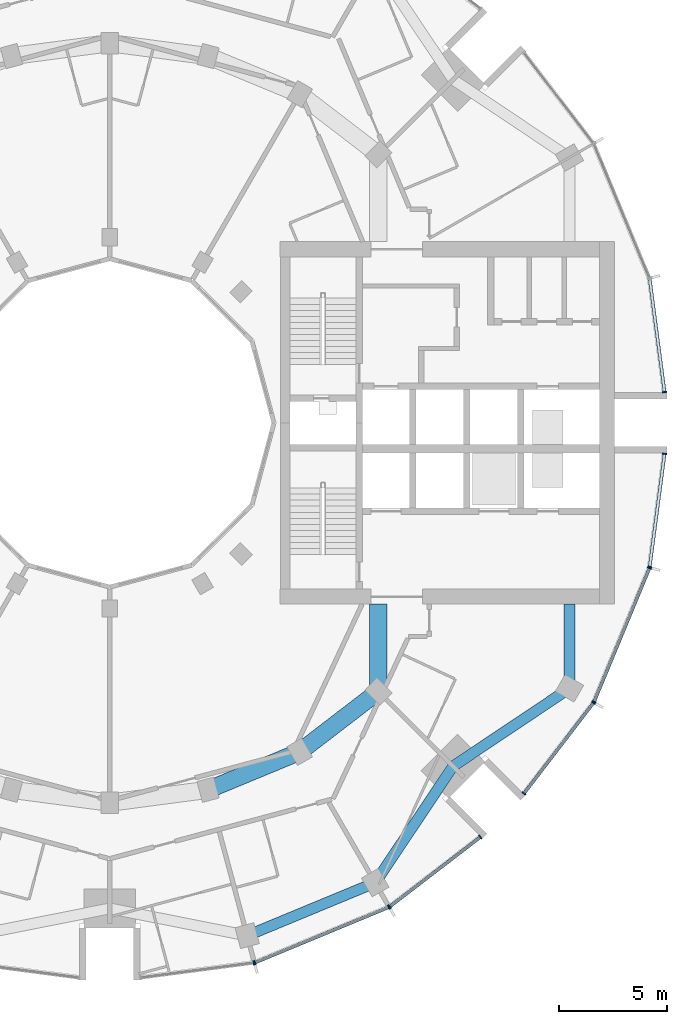
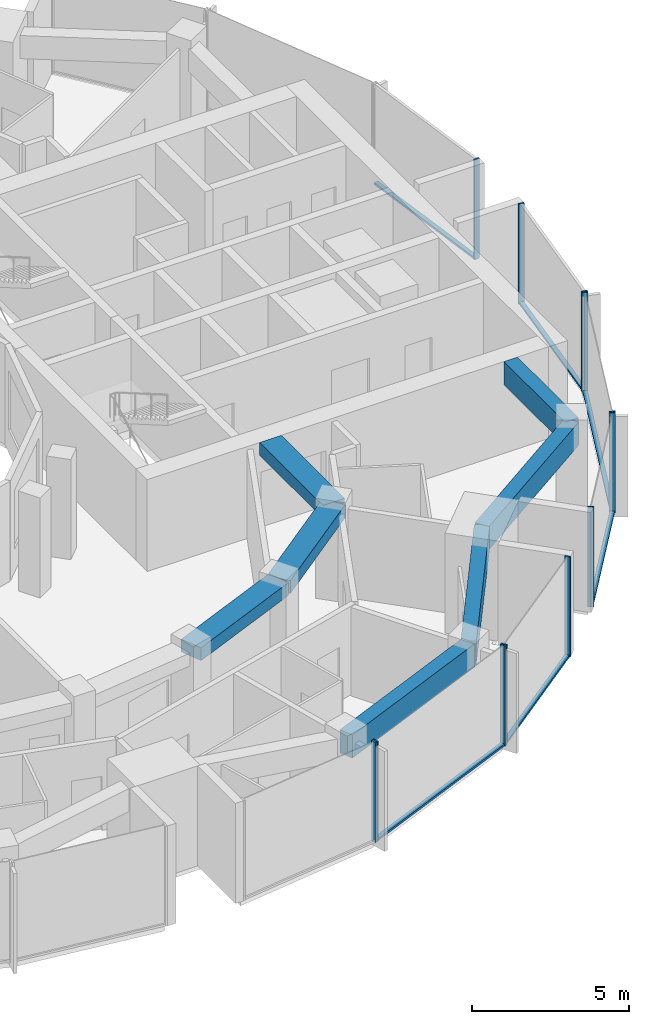
# One storey, part 4 of 15: 18 members, 7 beams, 7 elements without a shape of their own.
"""IFC4 building model written with IfcOpenShell, lengths in metres."""

import ifcopenshell
import ifcopenshell.guid

model = None  # the IFC model being written
_history = None  # IfcOwnerHistory: only IFC2X3 demands one
_inside = {}  # id of a spatial element -> (the spatial element, [elements in it])
_under = {}  # id of a project, library or spatial element -> (it, [spatial elements below it])
_declared = {}  # id of a project -> (the project, [libraries it declares])
_typed = {}  # id of a type object -> (the type object, [elements of that type])
_made_of = {}  # id of a material, layer set ... -> (it, [elements and type objects made of it])


def new_model(schema):
    """Start an empty IFC model of exactly this schema.

    Asked for "IFC4X3", IfcOpenShell would pick the latest addendum, in which some entities
    have other attributes; the version numbers below select the first issue.
    IFC2X3 requires an IfcOwnerHistory on every rooted entity: one is made here for all.
    """
    global model, _history
    if schema == "IFC4X3":
        model = ifcopenshell.file(schema_version=(4, 3, 0, 0))
    else:
        model = ifcopenshell.file(schema=schema)
    _inside.clear()
    _under.clear()
    _declared.clear()
    _typed.clear()
    _made_of.clear()
    _history = None
    if model.schema == "IFC2X3":
        org = make("IfcOrganization", Name="unknown")
        user = make(
            "IfcPersonAndOrganization",
            ThePerson=make("IfcPerson", FamilyName="unknown"),
            TheOrganization=org,
        )
        app = make(
            "IfcApplication",
            ApplicationDeveloper=org,
            Version="unknown",
            ApplicationFullName="unknown",
            ApplicationIdentifier="unknown",
        )
        _history = make(
            "IfcOwnerHistory",
            OwningUser=user,
            OwningApplication=app,
            ChangeAction="ADDED",
            CreationDate=0,
        )
    return model


def make(cls, **values):
    """One entity of the class cls with the attributes given. An attribute that is None is left unset."""
    return model.create_entity(
        cls, **{name: value for name, value in values.items() if value is not None}
    )


def rooted(cls, **values):
    """An entity with a GlobalId (a new one), such as an element, a storey or a relation."""
    return make(cls, GlobalId=ifcopenshell.guid.new(), OwnerHistory=_history, **values)


def si_unit(unit_type, name, prefix=None):
    """IfcSIUnit, for example si_unit("LENGTHUNIT", "METRE", prefix="MILLI")."""
    return make("IfcSIUnit", UnitType=unit_type, Prefix=prefix, Name=name)


def assignment(units):
    """IfcUnitAssignment: the units of a project."""
    return None if units is None else make("IfcUnitAssignment", Units=units)


def point(xyz):
    """IfcCartesianPoint."""
    return None if xyz is None else make("IfcCartesianPoint", Coordinates=xyz)


def direction(xyz):
    """IfcDirection."""
    return None if xyz is None else make("IfcDirection", DirectionRatios=xyz)


def frame(location, z_axis=None, x_axis=None):
    """IfcAxis2Placement3D, a coordinate frame: its origin and axes. An axis left out is left unset."""
    return make(
        "IfcAxis2Placement3D",
        Location=point(location),
        Axis=direction(z_axis),
        RefDirection=direction(x_axis),
    )


def frame_2d(location, x_axis=None):
    """IfcAxis2Placement2D, a coordinate frame in the plane: its origin and x axis."""
    return make(
        "IfcAxis2Placement2D", Location=point(location), RefDirection=direction(x_axis)
    )


def origin():
    """The frame at (0, 0, 0) with its axes left unset."""
    return frame((0.0, 0.0, 0.0))


def origin_2d():
    """The frame at (0, 0) in the plane with its x axis left unset."""
    return frame_2d((0.0, 0.0))


def place(relative_to, where):
    """IfcLocalPlacement: puts the frame where relative to a parent placement (None: the world)."""
    return make(
        "IfcLocalPlacement", PlacementRelTo=relative_to, RelativePlacement=where
    )


def context(
    kind, dimensions, precision=None, world=None, true_north=None, identifier=None
):
    """IfcGeometricRepresentationContext, for example the 3D "Model" context."""
    return make(
        "IfcGeometricRepresentationContext",
        ContextIdentifier=identifier,
        ContextType=kind,
        CoordinateSpaceDimension=dimensions,
        Precision=precision,
        WorldCoordinateSystem=world,
        TrueNorth=true_north,
    )


def subcontext(parent, identifier, kind, view, scale=None):
    """IfcGeometricRepresentationSubContext, for example "Body" below "Model"."""
    return make(
        "IfcGeometricRepresentationSubContext",
        ContextIdentifier=identifier,
        ContextType=kind,
        ParentContext=parent,
        TargetScale=scale,
        TargetView=view,
    )


def project(units=None, contexts=None):
    """IfcProject with its units and contexts."""
    return rooted(
        "IfcProject",
        Name="project",
        RepresentationContexts=contexts,
        UnitsInContext=assignment(units),
    )


def spatial(cls, under=None, at=None, **own):
    """A site, building, storey or space (cls), placed at a placement, below another one or the project."""
    s = rooted(cls, ObjectPlacement=at, **own)
    if under is not None:
        _under.setdefault(under.id(), (under, []))[1].append(s)
    return s


def profile(cls, at=None, kind="AREA", **sizes):
    """A parametric profile (cls). Its sizes go by their IFC names, for example OverallWidth=200.0."""
    return make(cls, ProfileType=kind, Position=at, **sizes)


def rectangle(**sizes):
    """IfcRectangleProfileDef."""
    return profile("IfcRectangleProfileDef", **sizes)


def extrude(swept, where, along, depth):
    """IfcExtrudedAreaSolid: the profile swept, set in the frame where, extruded along a direction by depth."""
    return make(
        "IfcExtrudedAreaSolid",
        SweptArea=swept,
        Position=where,
        ExtrudedDirection=direction(along),
        Depth=depth,
    )


def shape(context_of_items, identifier, shape_type, items):
    """IfcShapeRepresentation: the items that make up one representation, for example the "Body"."""
    return make(
        "IfcShapeRepresentation",
        ContextOfItems=context_of_items,
        RepresentationIdentifier=identifier,
        RepresentationType=shape_type,
        Items=items,
    )


def material(Name=None, Category=None):
    """IfcMaterial."""
    return make("IfcMaterial", Name=Name, Category=Category)


def layer(
    of_material, thickness, ventilated=None, Name=None, Category=None, Priority=None
):
    """IfcMaterialLayer: one layer of a wall or slab, of a material (None: an air gap)."""
    return make(
        "IfcMaterialLayer",
        Material=of_material,
        LayerThickness=thickness,
        IsVentilated=ventilated,
        Name=Name,
        Category=Category,
        Priority=Priority,
    )


def layer_set(layers, Name=None):
    """IfcMaterialLayerSet."""
    return make("IfcMaterialLayerSet", MaterialLayers=layers, LayerSetName=Name)


def material_profile(
    of_material, cross_section, Name=None, Category=None, Priority=None
):
    """IfcMaterialProfile: a cross section and its material."""
    return make(
        "IfcMaterialProfile",
        Name=Name,
        Material=of_material,
        Profile=cross_section,
        Priority=Priority,
        Category=Category,
    )


def profile_set(profiles, Name=None, composite=None):
    """IfcMaterialProfileSet."""
    return make(
        "IfcMaterialProfileSet",
        Name=Name,
        MaterialProfiles=profiles,
        CompositeProfile=composite,
    )


def made_of(thing, what):
    """Note that an element or type object is made of a material, layer set ...; save() writes the relation."""
    if what is not None:
        _made_of.setdefault(what.id(), (what, []))[1].append(thing)
    return thing


def type_object(cls, material=None, **own):
    """A type object (cls), such as IfcWallType, which elements share."""
    return made_of(rooted(cls, **own), material)


def element(
    cls,
    number,
    at=None,
    inside=None,
    cuts=None,
    type_object=None,
    material=None,
    context=None,
    identifier="Body",
    shape_type=None,
    held_by="IfcProductDefinitionShape",
    body=None,
    shapes=None,
    **own,
):
    """One element of the class cls, such as IfcWall. Its Tag is "e" and its number.

    at: its placement. inside: the storey or other place that contains it. cuts: it is an
    opening in that element (IfcRelVoidsElement). A single representation is given by context,
    identifier, shape_type and body (its items); several are given by shapes. held_by: the class
    of the entity that holds the representations. save() writes the other relations.
    """
    e = rooted(cls, Tag="e%d" % number, ObjectPlacement=at, **own)
    if body is not None:
        shapes = [shape(context, identifier, shape_type, body)]
    if shapes is not None:
        e.Representation = make(held_by, Representations=shapes)
    if inside is not None:
        _inside.setdefault(inside.id(), (inside, []))[1].append(e)
    if cuts is not None:
        rooted(
            "IfcRelVoidsElement", RelatingBuildingElement=cuts, RelatedOpeningElement=e
        )
    if type_object is not None:
        _typed.setdefault(type_object.id(), (type_object, []))[1].append(e)
    return made_of(e, material)


def aggregate(whole, parts):
    """IfcRelAggregates: a whole, such as a stair, and the parts it consists of."""
    return rooted("IfcRelAggregates", RelatingObject=whole, RelatedObjects=parts)


def save(model, path):
    """Write the relations noted so far, then the file.

    IfcRelAggregates (storeys below a building ...), IfcRelContainedInSpatialStructure (elements
    in a storey), IfcRelDefinesByType, IfcRelAssociatesMaterial and IfcRelDeclares: one each for
    every whole, place, type object, material and project.
    """
    for whole, parts in _under.values():
        aggregate(whole, parts)
    for where, things in _inside.values():
        rooted(
            "IfcRelContainedInSpatialStructure",
            RelatedElements=things,
            RelatingStructure=where,
        )
    for kind, things in _typed.values():
        rooted("IfcRelDefinesByType", RelatedObjects=things, RelatingType=kind)
    for what, things in _made_of.values():
        rooted("IfcRelAssociatesMaterial", RelatedObjects=things, RelatingMaterial=what)
    for by, libraries in _declared.values():
        rooted("IfcRelDeclares", RelatingContext=by, RelatedDefinitions=libraries)
    model.write(path)


model = new_model("IFC4")

# Units and contexts
model_context = context("Model", 3, precision=1e-05, world=origin(), true_north=direction((0.0, 1.0)))
body_context = subcontext(model_context, "Body", "Model", "MODEL_VIEW")
ifc_project = project(units=[si_unit("LENGTHUNIT", "METRE"), si_unit("AREAUNIT", "SQUARE_METRE"), si_unit("VOLUMEUNIT", "CUBIC_METRE"), si_unit("PLANEANGLEUNIT", "RADIAN"), si_unit("MASSUNIT", "GRAM", prefix="KILO")], contexts=[model_context])

# Site, building, storey
site_placement = place(None, origin())
site = spatial("IfcSite", under=ifc_project, at=site_placement, CompositionType="ELEMENT")
building_placement = place(site_placement, origin())
building = spatial("IfcBuilding", under=site, at=building_placement, Name="Torre Brocal", CompositionType="ELEMENT")
storey_placement = place(building_placement, frame((0.0, 0.0, 130.199951171875)))
storey = spatial("IfcBuildingStorey", under=building, at=storey_placement, Name="L30", CompositionType="ELEMENT", Elevation=130.199951171875)

# Curtain wall, member
ifc_material_1 = material(Name="Aluminium and glass", Category="aluminium")
ifc_layer_1 = layer(ifc_material_1, 0.199951171875)
ifc_layer_set_1 = layer_set([ifc_layer_1], Name="Aluminium and glass")
curtain_wall_type_1 = type_object("IfcCurtainWallType", Name="CW-1 CURTAIN WALL 3900 HIGH", PredefinedType="NOTDEFINED", material=ifc_layer_set_1)
curtain_wall_1_placement = place(storey_placement, origin())
curtain_wall_1 = element("IfcCurtainWall", 1, at=curtain_wall_1_placement, inside=storey, type_object=curtain_wall_type_1, Name="CW-1 RUN 19", PredefinedType="NOTDEFINED")
ifc_material_2 = material(Name="Aluminium, dark anodised", Category="aluminium")
ifc_material_profile_1 = material_profile(ifc_material_2, rectangle(XDim=0.199951171875, YDim=0.06005859375, at=origin_2d()), Name="CW-1 MULLION 60X200")
ifc_profile_set_1 = profile_set([ifc_material_profile_1], Name="Aluminium, dark anodised")
member_type_1 = type_object("IfcMemberType", Name="CW-1 MULLION 60X200", PredefinedType="MULLION", material=ifc_profile_set_1)
member_1_placement = place(storey_placement, frame((86.67333984375, 49.9794921875, 0.0), z_axis=(0.0, 0.0, 1.0), x_axis=(-0.13052619222, 0.991444861374, 0.0)))
member_1 = element("IfcMember", 2, at=member_1_placement, type_object=member_type_1, Name="CW1-3 mullion 2", PredefinedType="MULLION", context=body_context, shape_type="SweptSolid", body=[
    extrude(rectangle(XDim=0.199951171875, YDim=0.06005859375, at=origin_2d()), origin(), (0.0, 0.0, 1.0), 3.900146484375),
])
aggregate(curtain_wall_1, [member_1])

# Curtain wall, members
curtain_wall_2_placement = place(storey_placement, origin())
curtain_wall_2 = element("IfcCurtainWall", 3, at=curtain_wall_2_placement, inside=storey, type_object=curtain_wall_type_1, Name="CW-1 RUN 20", PredefinedType="NOTDEFINED")
member_2_placement = place(storey_placement, frame((86.73095703125, 49.994873046875, 0.0), z_axis=(0.0, 0.0, 1.0), x_axis=(-0.382683432333, 0.923879532525, 0.0)))
member_2 = element("IfcMember", 4, at=member_2_placement, type_object=member_type_1, Name="CW1-3 mullion 1", PredefinedType="MULLION", context=body_context, shape_type="SweptSolid", body=[
    extrude(rectangle(XDim=0.199951171875, YDim=0.06005859375, at=origin_2d()), origin(), (0.0, 0.0, 1.0), 3.900146484375),
])
member_3_placement = place(storey_placement, frame((92.921875, 52.559326171875, 0.0), z_axis=(0.0, 0.0, 1.0), x_axis=(-0.382683432333, 0.923879532525, 0.0)))
member_3 = element("IfcMember", 5, at=member_3_placement, type_object=member_type_1, Name="CW1-3 mullion 2", PredefinedType="MULLION", context=body_context, shape_type="SweptSolid", body=[
    extrude(rectangle(XDim=0.199951171875, YDim=0.06005859375, at=origin_2d()), origin(), (0.0, 0.0, 1.0), 3.900146484375),
])

curtain_wall_3_placement = place(storey_placement, origin())
curtain_wall_3 = element("IfcCurtainWall", 6, at=curtain_wall_3_placement, inside=storey, type_object=curtain_wall_type_1, Name="CW-1 RUN 21", PredefinedType="NOTDEFINED")
member_4_placement = place(storey_placement, frame((92.973388671875, 52.5888671875, 0.0), z_axis=(0.0, 0.0, 1.0), x_axis=(-0.60876142905, 0.793353340259, 0.0)))
member_4 = element("IfcMember", 7, at=member_4_placement, type_object=member_type_1, Name="CW1-3 mullion 1", PredefinedType="MULLION", context=body_context, shape_type="SweptSolid", body=[
    extrude(rectangle(XDim=0.199951171875, YDim=0.06005859375, at=origin_2d()), origin(), (0.0, 0.0, 1.0), 3.900146484375),
])
member_5_placement = place(storey_placement, frame((97.16943359375, 55.80859375, 0.0), z_axis=(0.0, 0.0, 1.0), x_axis=(-0.60876142905, 0.793353340259, 0.0)))
member_5 = element("IfcMember", 8, at=member_5_placement, type_object=member_type_1, Name="CW1-3 mullion 2", PredefinedType="MULLION", context=body_context, shape_type="SweptSolid", body=[
    extrude(rectangle(XDim=0.199951171875, YDim=0.06005859375, at=origin_2d()), origin(), (0.0, 0.0, 1.0), 3.900146484375),
])

curtain_wall_4_placement = place(storey_placement, origin())
curtain_wall_4 = element("IfcCurtainWall", 9, at=curtain_wall_4_placement, inside=storey, type_object=curtain_wall_type_1, Name="CW-1 RUN 22", PredefinedType="NOTDEFINED")
member_6_placement = place(storey_placement, frame((99.19140625, 57.83056640625, 0.0), z_axis=(0.0, 0.0, 1.0), x_axis=(-0.793353340259, 0.60876142905, 0.0)))
member_6 = element("IfcMember", 10, at=member_6_placement, type_object=member_type_1, Name="CW1-3 mullion 1", PredefinedType="MULLION", context=body_context, shape_type="SweptSolid", body=[
    extrude(rectangle(XDim=0.199951171875, YDim=0.06005859375, at=origin_2d()), origin(), (0.0, 0.0, 1.0), 3.900146484375),
])
member_7_placement = place(storey_placement, frame((102.4111328125, 62.026611328125, 0.0), z_axis=(0.0, 0.0, 1.0), x_axis=(-0.793353340259, 0.60876142905, 0.0)))
member_7 = element("IfcMember", 11, at=member_7_placement, type_object=member_type_1, Name="CW1-3 mullion 2", PredefinedType="MULLION", context=body_context, shape_type="SweptSolid", body=[
    extrude(rectangle(XDim=0.199951171875, YDim=0.06005859375, at=origin_2d()), origin(), (0.0, 0.0, 1.0), 3.900146484375),
])

curtain_wall_5_placement = place(storey_placement, origin())
curtain_wall_5 = element("IfcCurtainWall", 12, at=curtain_wall_5_placement, inside=storey, type_object=curtain_wall_type_1, Name="CW-1 RUN 23", PredefinedType="NOTDEFINED")
member_8_placement = place(storey_placement, frame((102.440673828125, 62.078125, 0.0), z_axis=(0.0, 0.0, 1.0), x_axis=(-0.923879532525, 0.382683432333, 0.0)))
member_8 = element("IfcMember", 13, at=member_8_placement, type_object=member_type_1, Name="CW1-3 mullion 1", PredefinedType="MULLION", context=body_context, shape_type="SweptSolid", body=[
    extrude(rectangle(XDim=0.199951171875, YDim=0.06005859375, at=origin_2d()), origin(), (0.0, 0.0, 1.0), 3.900146484375),
])
member_9_placement = place(storey_placement, frame((105.005126953125, 68.26904296875, 0.0), z_axis=(0.0, 0.0, 1.0), x_axis=(-0.923879532525, 0.382683432333, 0.0)))
member_9 = element("IfcMember", 14, at=member_9_placement, type_object=member_type_1, Name="CW1-3 mullion 2", PredefinedType="MULLION", context=body_context, shape_type="SweptSolid", body=[
    extrude(rectangle(XDim=0.199951171875, YDim=0.06005859375, at=origin_2d()), origin(), (0.0, 0.0, 1.0), 3.900146484375),
])

# Member
ifc_material_3 = material(Name="Aluminium, dark anodised", Category="aluminium")
ifc_material_profile_2 = material_profile(ifc_material_3, rectangle(XDim=0.159912109375, YDim=0.080078125, at=origin_2d()), Name="CW-1 TRANSOM 160X80")
ifc_profile_set_2 = profile_set([ifc_material_profile_2], Name="Aluminium, dark anodised")
member_type_2 = type_object("IfcMemberType", Name="CW-1 TRANSOM 160X80", PredefinedType="USERDEFINED", material=ifc_profile_set_2)
member_10_placement = place(storey_placement, frame((86.758544921875, 50.00634765625, 0.0400390625), z_axis=(0.923887344364, 0.38266457234, 0.0), x_axis=(-0.38266457234, 0.923887344364, 0.0)))
member_10 = element("IfcMember", 15, at=member_10_placement, type_object=member_type_2, Name="CW1-3 transom 1.1", ObjectType="TRANSOM", PredefinedType="USERDEFINED", context=body_context, shape_type="SweptSolid", body=[
    extrude(rectangle(XDim=0.159912109375, YDim=0.080078125, at=origin_2d()), origin(), (0.0, 0.0, 1.0), 6.640869140625),
])

aggregate(curtain_wall_2, [member_2, member_3, member_10])

member_11_placement = place(storey_placement, frame((92.9970703125, 52.607177734375, 0.0400390625), z_axis=(0.79336281513, 0.60874908096, 0.0), x_axis=(-0.60874908096, 0.79336281513, 0.0)))
member_11 = element("IfcMember", 16, at=member_11_placement, type_object=member_type_2, Name="CW1-3 transom 1.1", ObjectType="TRANSOM", PredefinedType="USERDEFINED", context=body_context, shape_type="SweptSolid", body=[
    extrude(rectangle(XDim=0.159912109375, YDim=0.080078125, at=origin_2d()), origin(), (0.0, 0.0, 1.0), 5.22900390625),
])

aggregate(curtain_wall_3, [member_4, member_5, member_11])

member_12_placement = place(storey_placement, frame((99.209716796875, 57.8544921875, 0.0400390625), z_axis=(0.60874908096, 0.79336281513, 0.0), x_axis=(-0.79336281513, 0.60874908096, 0.0)))
member_12 = element("IfcMember", 17, at=member_12_placement, type_object=member_type_2, Name="CW1-3 transom 1.1", ObjectType="TRANSOM", PredefinedType="USERDEFINED", context=body_context, shape_type="SweptSolid", body=[
    extrude(rectangle(XDim=0.159912109375, YDim=0.080078125, at=origin_2d()), origin(), (0.0, 0.0, 1.0), 5.22900390625),
])

aggregate(curtain_wall_4, [member_6, member_7, member_12])

member_13_placement = place(storey_placement, frame((102.452392578125, 62.10595703125, 0.0400390625), z_axis=(0.38266457234, 0.923887344364, 0.0), x_axis=(-0.923887344364, 0.38266457234, 0.0)))
member_13 = element("IfcMember", 18, at=member_13_placement, type_object=member_type_2, Name="CW1-3 transom 1.1", ObjectType="TRANSOM", PredefinedType="USERDEFINED", context=body_context, shape_type="SweptSolid", body=[
    extrude(rectangle(XDim=0.159912109375, YDim=0.080078125, at=origin_2d()), origin(), (0.0, 0.0, 1.0), 6.640869140625),
])

aggregate(curtain_wall_5, [member_8, member_9, member_13])

# Curtain wall, member
ifc_material_4 = material(Name="Aluminium and glass", Category="aluminium")
ifc_layer_2 = layer(ifc_material_4, 0.199951171875)
ifc_layer_set_2 = layer_set([ifc_layer_2], Name="Aluminium and glass")
curtain_wall_type_2 = type_object("IfcCurtainWallType", Name="CW-1B CURTAIN WALL 3900 HIGH", PredefinedType="NOTDEFINED", material=ifc_layer_set_2)
curtain_wall_6_placement = place(storey_placement, origin())
curtain_wall_6 = element("IfcCurtainWall", 19, at=curtain_wall_6_placement, inside=storey, type_object=curtain_wall_type_2, Name="CW-1B RUN 1", PredefinedType="NOTDEFINED")
ifc_material_5 = material(Name="Aluminium, dark anodised", Category="aluminium")
ifc_material_profile_3 = material_profile(ifc_material_5, rectangle(XDim=0.199951171875, YDim=0.06005859375, at=origin_2d()), Name="CW-1B MULLION 60X200")
ifc_profile_set_3 = profile_set([ifc_material_profile_3], Name="Aluminium, dark anodised")
member_type_3 = type_object("IfcMemberType", Name="CW-1B MULLION 60X200", PredefinedType="MULLION", material=ifc_profile_set_3)
member_14_placement = place(storey_placement, frame((105.7109375, 76.4296875, 0.0), z_axis=(0.0, 0.0, 1.0), x_axis=(-0.991444861374, -0.13052619222, 0.0)))
member_14 = element("IfcMember", 20, at=member_14_placement, type_object=member_type_3, Name="CW1B-3 mullion 1", PredefinedType="MULLION", context=body_context, shape_type="SweptSolid", body=[
    extrude(rectangle(XDim=0.199951171875, YDim=0.06005859375, at=origin_2d()), origin(), (0.0, 0.0, 1.0), 3.900146484375),
])

# Curtain wall, members
curtain_wall_7_placement = place(storey_placement, origin())
curtain_wall_7 = element("IfcCurtainWall", 21, at=curtain_wall_7_placement, inside=storey, type_object=curtain_wall_type_2, Name="CW-1B RUN 24", PredefinedType="NOTDEFINED")
member_15_placement = place(storey_placement, frame((105.0205078125, 68.32666015625, 0.0), z_axis=(0.0, 0.0, 1.0), x_axis=(-0.991444861374, 0.13052619222, 0.0)))
member_15 = element("IfcMember", 22, at=member_15_placement, type_object=member_type_3, Name="CW1B-3 mullion 1", PredefinedType="MULLION", context=body_context, shape_type="SweptSolid", body=[
    extrude(rectangle(XDim=0.199951171875, YDim=0.06005859375, at=origin_2d()), origin(), (0.0, 0.0, 1.0), 3.900146484375),
])
member_16_placement = place(storey_placement, frame((105.7109375, 73.5703125, 0.0), z_axis=(0.0, 0.0, 1.0), x_axis=(-0.991444861374, 0.13052619222, 0.0)))
member_16 = element("IfcMember", 23, at=member_16_placement, type_object=member_type_3, Name="CW1B-3 mullion 2", PredefinedType="MULLION", context=body_context, shape_type="SweptSolid", body=[
    extrude(rectangle(XDim=0.199951171875, YDim=0.06005859375, at=origin_2d()), origin(), (0.0, 0.0, 1.0), 3.900146484375),
])

# Member
ifc_material_6 = material(Name="Aluminium, dark anodised", Category="aluminium")
ifc_material_profile_4 = material_profile(ifc_material_6, rectangle(XDim=0.159912109375, YDim=0.080078125, at=origin_2d()), Name="CW-1B TRANSOM 160X80")
ifc_profile_set_4 = profile_set([ifc_material_profile_4], Name="Aluminium, dark anodised")
member_type_4 = type_object("IfcMemberType", Name="CW-1B TRANSOM 160X80", PredefinedType="USERDEFINED", material=ifc_profile_set_4)
member_17_placement = place(storey_placement, frame((105.70703125, 76.45947265625, 0.0400390625), z_axis=(-0.130542677827, 0.991442690863, 0.0), x_axis=(-0.991442690863, -0.130542677827, 0.0)))
member_17 = element("IfcMember", 24, at=member_17_placement, type_object=member_type_4, Name="CW1B-3 transom 1.1", ObjectType="TRANSOM", PredefinedType="USERDEFINED", context=body_context, shape_type="SweptSolid", body=[
    extrude(rectangle(XDim=0.159912109375, YDim=0.080078125, at=origin_2d()), origin(), (0.0, 0.0, 1.0), 5.22900390625),
])

aggregate(curtain_wall_6, [member_14, member_17])

member_18_placement = place(storey_placement, frame((105.0244140625, 68.356201171875, 0.0400390625), z_axis=(0.130542677827, 0.991442690863, 0.0), x_axis=(-0.991442690863, 0.130542677827, 0.0)))
member_18 = element("IfcMember", 25, at=member_18_placement, type_object=member_type_4, Name="CW1B-3 transom 1.1", ObjectType="TRANSOM", PredefinedType="USERDEFINED", context=body_context, shape_type="SweptSolid", body=[
    extrude(rectangle(XDim=0.159912109375, YDim=0.080078125, at=origin_2d()), origin(), (0.0, 0.0, 1.0), 5.22900390625),
])

aggregate(curtain_wall_7, [member_15, member_16, member_18])

# Beams
ifc_material_7 = material(Name="Concrete C50", Category="concrete")
ifc_material_profile_5 = material_profile(ifc_material_7, rectangle(XDim=0.800048828125, YDim=0.5, at=origin_2d()), Name="RC 800X500")
ifc_profile_set_5 = profile_set([ifc_material_profile_5], Name="Concrete C50")
beam_type_1 = type_object("IfcBeamType", Name="RC BEAM 800X500 C50 TOP 3580", PredefinedType="BEAM", material=ifc_profile_set_5)
beam_1_placement = place(storey_placement, frame((84.55517578125, 57.999755859375, 3.330078125), z_axis=(0.923878240166, 0.382686552348, 0.0), x_axis=(-0.382686552348, 0.923878240166, 0.0)))
element("IfcBeam", 26, at=beam_1_placement, inside=storey, type_object=beam_type_1, Name="Beam BT-28", PredefinedType="BEAM", context=body_context, shape_type="SweptSolid", body=[
    extrude(rectangle(XDim=0.800048828125, YDim=0.5, at=origin_2d()), origin(), (0.0, 0.0, 1.0), 4.5947265625),
])
beam_2_placement = place(storey_placement, frame((88.800048828125, 59.758056640625, 3.330078125), z_axis=(0.793358265959, 0.6087550097, 0.0), x_axis=(-0.6087550097, 0.793358265959, 0.0)))
element("IfcBeam", 27, at=beam_2_placement, inside=storey, type_object=beam_type_1, Name="Beam BT-28", PredefinedType="BEAM", context=body_context, shape_type="SweptSolid", body=[
    extrude(rectangle(XDim=0.800048828125, YDim=0.5, at=origin_2d()), origin(), (0.0, 0.0, 1.0), 4.594482421875),
])
beam_3_placement = place(storey_placement, frame((92.445068359375, 62.554931640625, 3.330078125), z_axis=(0.0, 1.0, 0.0), x_axis=(-1.0, 0.0, 0.0)))
element("IfcBeam", 28, at=beam_3_placement, inside=storey, type_object=beam_type_1, Name="Beam BT-28", PredefinedType="BEAM", context=body_context, shape_type="SweptSolid", body=[
    extrude(rectangle(XDim=0.800048828125, YDim=0.5, at=origin_2d()), origin(), (0.0, 0.0, 1.0), 4.045166015625),
])
ifc_material_8 = material(Name="Concrete C50", Category="concrete")
ifc_material_profile_6 = material_profile(ifc_material_8, rectangle(XDim=0.5, YDim=0.89990234375, at=origin_2d()), Name="RC 500X900")
ifc_profile_set_6 = profile_set([ifc_material_profile_6], Name="Concrete C50")
beam_type_2 = type_object("IfcBeamType", Name="RC SPANDREL BEAM 500X900 C50 TOP 3580", PredefinedType="SPANDREL", material=ifc_profile_set_6)
beam_4_placement = place(storey_placement, frame((86.366943359375, 51.23828125, 3.130126953125), z_axis=(0.923882462513, 0.382676358639, 0.0), x_axis=(-0.382676358639, 0.923882462513, 0.0)))
element("IfcBeam", 29, at=beam_4_placement, inside=storey, type_object=beam_type_2, Name="Beam BT-29", PredefinedType="SPANDREL", context=body_context, shape_type="SweptSolid", body=[
    extrude(rectangle(XDim=0.5, YDim=0.89990234375, at=origin_2d()), origin(), (0.0, 0.0, 1.0), 6.421875),
])
for number, where, z_axis, x_axis, name in (
    (30, (92.300048828125, 53.69580078125, 3.130126953125), (0.556157602282, 0.831076844476, 0.0), (-0.831076844476, 0.556157602282, 0.0), "Beam BT-29"),
    (31, (95.909912109375, 59.090087890625, 3.130126953125), (0.831076844476, 0.556157602282, 0.0), (-0.556157602282, 0.831076844476, 0.0), "Beam BT-29"),
):
    element("IfcBeam", number, at=place(storey_placement, frame(where, z_axis=z_axis, x_axis=x_axis)), inside=storey, type_object=beam_type_2, Name=name, PredefinedType="SPANDREL", context=body_context, shape_type="SweptSolid", body=[
        extrude(rectangle(XDim=0.5, YDim=0.89990234375, at=origin_2d()), origin(), (0.0, 0.0, 1.0), 6.49072265625),
    ])
beam_5_placement = place(storey_placement, frame((101.30419921875, 62.699951171875, 3.130126953125), z_axis=(0.0, 1.0, 0.0), x_axis=(-1.0, 0.0, 0.0)))
element("IfcBeam", 32, at=beam_5_placement, inside=storey, type_object=beam_type_2, Name="Beam BT-29", PredefinedType="SPANDREL", context=body_context, shape_type="SweptSolid", body=[
    extrude(rectangle(XDim=0.5, YDim=0.89990234375, at=origin_2d()), origin(), (0.0, 0.0, 1.0), 3.900146484375),
])

save(model, "model.ifc")
